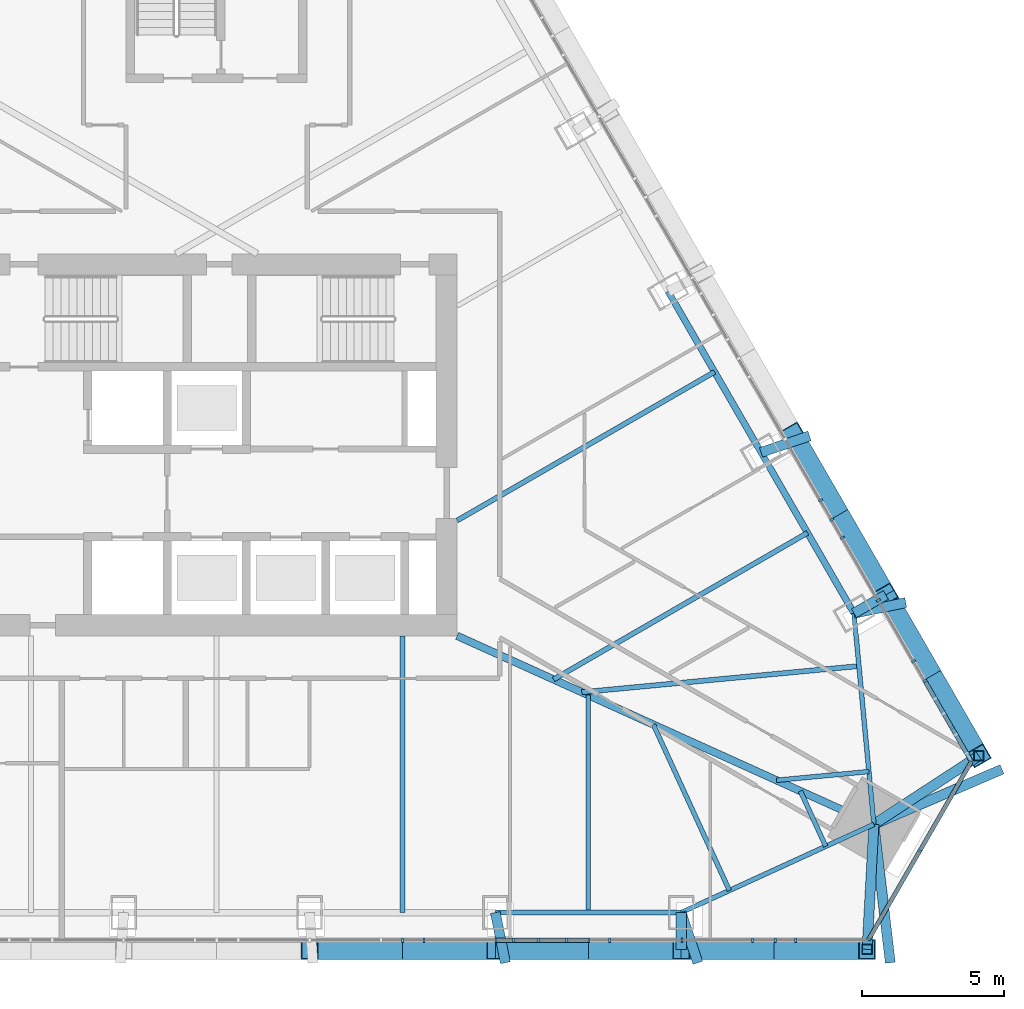
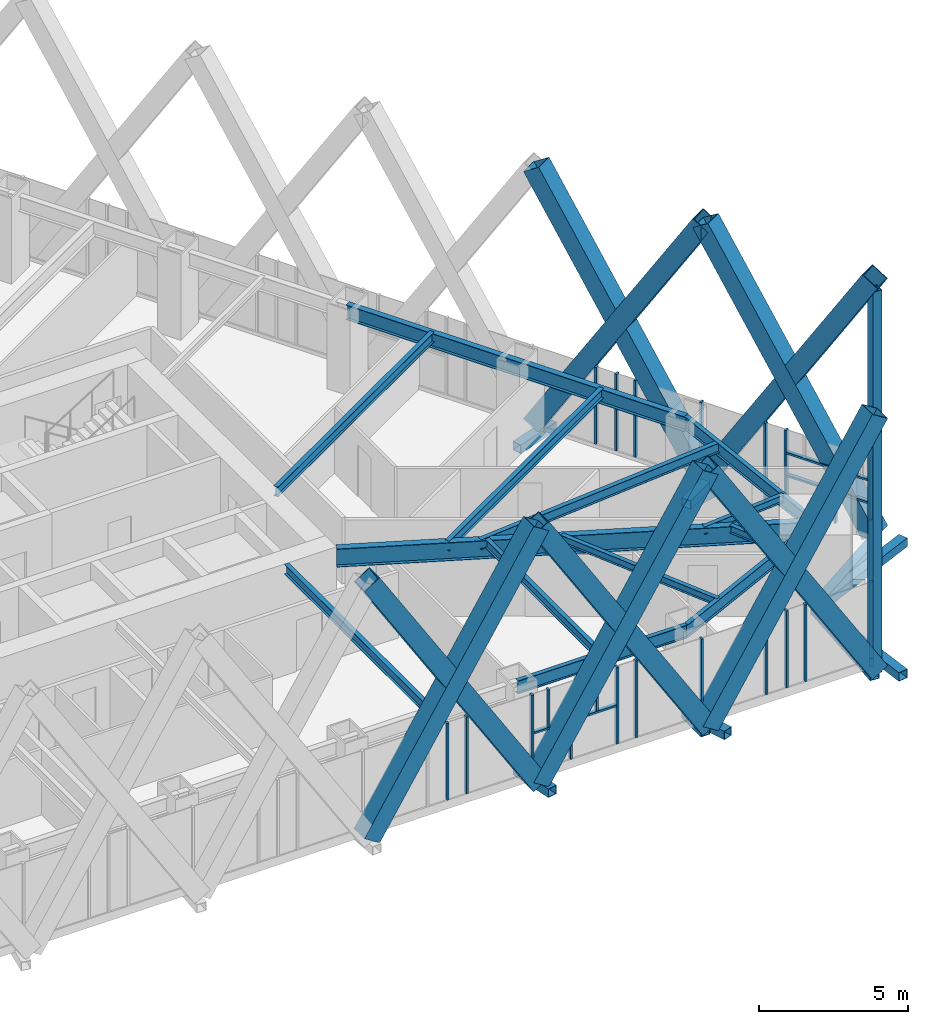
# One storey, part 8 of 25: 48 members, 13 beams, 3 elements without a shape of their own.
"""IFC4 building model written with IfcOpenShell, lengths in metres."""

import ifcopenshell
import ifcopenshell.guid

model = None  # the IFC model being written
_history = None  # IfcOwnerHistory: only IFC2X3 demands one
_inside = {}  # id of a spatial element -> (the spatial element, [elements in it])
_under = {}  # id of a project, library or spatial element -> (it, [spatial elements below it])
_declared = {}  # id of a project -> (the project, [libraries it declares])
_typed = {}  # id of a type object -> (the type object, [elements of that type])
_made_of = {}  # id of a material, layer set ... -> (it, [elements and type objects made of it])


def new_model(schema):
    """Start an empty IFC model of exactly this schema.

    Asked for "IFC4X3", IfcOpenShell would pick the latest addendum, in which some entities
    have other attributes; the version numbers below select the first issue.
    IFC2X3 requires an IfcOwnerHistory on every rooted entity: one is made here for all.
    """
    global model, _history
    if schema == "IFC4X3":
        model = ifcopenshell.file(schema_version=(4, 3, 0, 0))
    else:
        model = ifcopenshell.file(schema=schema)
    _inside.clear()
    _under.clear()
    _declared.clear()
    _typed.clear()
    _made_of.clear()
    _history = None
    if model.schema == "IFC2X3":
        org = make("IfcOrganization", Name="unknown")
        user = make(
            "IfcPersonAndOrganization",
            ThePerson=make("IfcPerson", FamilyName="unknown"),
            TheOrganization=org,
        )
        app = make(
            "IfcApplication",
            ApplicationDeveloper=org,
            Version="unknown",
            ApplicationFullName="unknown",
            ApplicationIdentifier="unknown",
        )
        _history = make(
            "IfcOwnerHistory",
            OwningUser=user,
            OwningApplication=app,
            ChangeAction="ADDED",
            CreationDate=0,
        )
    return model


def make(cls, **values):
    """One entity of the class cls with the attributes given. An attribute that is None is left unset."""
    return model.create_entity(
        cls, **{name: value for name, value in values.items() if value is not None}
    )


def rooted(cls, **values):
    """An entity with a GlobalId (a new one), such as an element, a storey or a relation."""
    return make(cls, GlobalId=ifcopenshell.guid.new(), OwnerHistory=_history, **values)


def si_unit(unit_type, name, prefix=None):
    """IfcSIUnit, for example si_unit("LENGTHUNIT", "METRE", prefix="MILLI")."""
    return make("IfcSIUnit", UnitType=unit_type, Prefix=prefix, Name=name)


def assignment(units):
    """IfcUnitAssignment: the units of a project."""
    return None if units is None else make("IfcUnitAssignment", Units=units)


def point(xyz):
    """IfcCartesianPoint."""
    return None if xyz is None else make("IfcCartesianPoint", Coordinates=xyz)


def direction(xyz):
    """IfcDirection."""
    return None if xyz is None else make("IfcDirection", DirectionRatios=xyz)


def frame(location, z_axis=None, x_axis=None):
    """IfcAxis2Placement3D, a coordinate frame: its origin and axes. An axis left out is left unset."""
    return make(
        "IfcAxis2Placement3D",
        Location=point(location),
        Axis=direction(z_axis),
        RefDirection=direction(x_axis),
    )


def frame_2d(location, x_axis=None):
    """IfcAxis2Placement2D, a coordinate frame in the plane: its origin and x axis."""
    return make(
        "IfcAxis2Placement2D", Location=point(location), RefDirection=direction(x_axis)
    )


def origin():
    """The frame at (0, 0, 0) with its axes left unset."""
    return frame((0.0, 0.0, 0.0))


def origin_2d():
    """The frame at (0, 0) in the plane with its x axis left unset."""
    return frame_2d((0.0, 0.0))


def place(relative_to, where):
    """IfcLocalPlacement: puts the frame where relative to a parent placement (None: the world)."""
    return make(
        "IfcLocalPlacement", PlacementRelTo=relative_to, RelativePlacement=where
    )


def context(
    kind, dimensions, precision=None, world=None, true_north=None, identifier=None
):
    """IfcGeometricRepresentationContext, for example the 3D "Model" context."""
    return make(
        "IfcGeometricRepresentationContext",
        ContextIdentifier=identifier,
        ContextType=kind,
        CoordinateSpaceDimension=dimensions,
        Precision=precision,
        WorldCoordinateSystem=world,
        TrueNorth=true_north,
    )


def subcontext(parent, identifier, kind, view, scale=None):
    """IfcGeometricRepresentationSubContext, for example "Body" below "Model"."""
    return make(
        "IfcGeometricRepresentationSubContext",
        ContextIdentifier=identifier,
        ContextType=kind,
        ParentContext=parent,
        TargetScale=scale,
        TargetView=view,
    )


def project(units=None, contexts=None):
    """IfcProject with its units and contexts."""
    return rooted(
        "IfcProject",
        Name="project",
        RepresentationContexts=contexts,
        UnitsInContext=assignment(units),
    )


def spatial(cls, under=None, at=None, **own):
    """A site, building, storey or space (cls), placed at a placement, below another one or the project."""
    s = rooted(cls, ObjectPlacement=at, **own)
    if under is not None:
        _under.setdefault(under.id(), (under, []))[1].append(s)
    return s


def profile(cls, at=None, kind="AREA", **sizes):
    """A parametric profile (cls). Its sizes go by their IFC names, for example OverallWidth=200.0."""
    return make(cls, ProfileType=kind, Position=at, **sizes)


def rectangle(**sizes):
    """IfcRectangleProfileDef."""
    return profile("IfcRectangleProfileDef", **sizes)


def hollow_rectangle(**sizes):
    """IfcRectangleHollowProfileDef."""
    return profile("IfcRectangleHollowProfileDef", **sizes)


def i_section(**sizes):
    """IfcIShapeProfileDef."""
    return profile("IfcIShapeProfileDef", **sizes)


def extrude(swept, where, along, depth):
    """IfcExtrudedAreaSolid: the profile swept, set in the frame where, extruded along a direction by depth."""
    return make(
        "IfcExtrudedAreaSolid",
        SweptArea=swept,
        Position=where,
        ExtrudedDirection=direction(along),
        Depth=depth,
    )


def shape(context_of_items, identifier, shape_type, items):
    """IfcShapeRepresentation: the items that make up one representation, for example the "Body"."""
    return make(
        "IfcShapeRepresentation",
        ContextOfItems=context_of_items,
        RepresentationIdentifier=identifier,
        RepresentationType=shape_type,
        Items=items,
    )


def material(Name=None, Category=None):
    """IfcMaterial."""
    return make("IfcMaterial", Name=Name, Category=Category)


def layer(
    of_material, thickness, ventilated=None, Name=None, Category=None, Priority=None
):
    """IfcMaterialLayer: one layer of a wall or slab, of a material (None: an air gap)."""
    return make(
        "IfcMaterialLayer",
        Material=of_material,
        LayerThickness=thickness,
        IsVentilated=ventilated,
        Name=Name,
        Category=Category,
        Priority=Priority,
    )


def layer_set(layers, Name=None):
    """IfcMaterialLayerSet."""
    return make("IfcMaterialLayerSet", MaterialLayers=layers, LayerSetName=Name)


def material_profile(
    of_material, cross_section, Name=None, Category=None, Priority=None
):
    """IfcMaterialProfile: a cross section and its material."""
    return make(
        "IfcMaterialProfile",
        Name=Name,
        Material=of_material,
        Profile=cross_section,
        Priority=Priority,
        Category=Category,
    )


def profile_set(profiles, Name=None, composite=None):
    """IfcMaterialProfileSet."""
    return make(
        "IfcMaterialProfileSet",
        Name=Name,
        MaterialProfiles=profiles,
        CompositeProfile=composite,
    )


def made_of(thing, what):
    """Note that an element or type object is made of a material, layer set ...; save() writes the relation."""
    if what is not None:
        _made_of.setdefault(what.id(), (what, []))[1].append(thing)
    return thing


def type_object(cls, material=None, **own):
    """A type object (cls), such as IfcWallType, which elements share."""
    return made_of(rooted(cls, **own), material)


def element(
    cls,
    number,
    at=None,
    inside=None,
    cuts=None,
    type_object=None,
    material=None,
    context=None,
    identifier="Body",
    shape_type=None,
    held_by="IfcProductDefinitionShape",
    body=None,
    shapes=None,
    **own,
):
    """One element of the class cls, such as IfcWall. Its Tag is "e" and its number.

    at: its placement. inside: the storey or other place that contains it. cuts: it is an
    opening in that element (IfcRelVoidsElement). A single representation is given by context,
    identifier, shape_type and body (its items); several are given by shapes. held_by: the class
    of the entity that holds the representations. save() writes the other relations.
    """
    e = rooted(cls, Tag="e%d" % number, ObjectPlacement=at, **own)
    if body is not None:
        shapes = [shape(context, identifier, shape_type, body)]
    if shapes is not None:
        e.Representation = make(held_by, Representations=shapes)
    if inside is not None:
        _inside.setdefault(inside.id(), (inside, []))[1].append(e)
    if cuts is not None:
        rooted(
            "IfcRelVoidsElement", RelatingBuildingElement=cuts, RelatedOpeningElement=e
        )
    if type_object is not None:
        _typed.setdefault(type_object.id(), (type_object, []))[1].append(e)
    return made_of(e, material)


def aggregate(whole, parts):
    """IfcRelAggregates: a whole, such as a stair, and the parts it consists of."""
    return rooted("IfcRelAggregates", RelatingObject=whole, RelatedObjects=parts)


def save(model, path):
    """Write the relations noted so far, then the file.

    IfcRelAggregates (storeys below a building ...), IfcRelContainedInSpatialStructure (elements
    in a storey), IfcRelDefinesByType, IfcRelAssociatesMaterial and IfcRelDeclares: one each for
    every whole, place, type object, material and project.
    """
    for whole, parts in _under.values():
        aggregate(whole, parts)
    for where, things in _inside.values():
        rooted(
            "IfcRelContainedInSpatialStructure",
            RelatedElements=things,
            RelatingStructure=where,
        )
    for kind, things in _typed.values():
        rooted("IfcRelDefinesByType", RelatedObjects=things, RelatingType=kind)
    for what, things in _made_of.values():
        rooted("IfcRelAssociatesMaterial", RelatedObjects=things, RelatingMaterial=what)
    for by, libraries in _declared.values():
        rooted("IfcRelDeclares", RelatingContext=by, RelatedDefinitions=libraries)
    model.write(path)


model = new_model("IFC4")

# Units and contexts
model_context = context("Model", 3, precision=1e-05, world=origin(), true_north=direction((0.0, 1.0)))
body_context = subcontext(model_context, "Body", "Model", "MODEL_VIEW")
ifc_project = project(units=[si_unit("LENGTHUNIT", "METRE"), si_unit("AREAUNIT", "SQUARE_METRE"), si_unit("VOLUMEUNIT", "CUBIC_METRE"), si_unit("PLANEANGLEUNIT", "RADIAN"), si_unit("MASSUNIT", "GRAM", prefix="KILO")], contexts=[model_context])

# Site, building, storey
site_placement = place(None, origin())
site = spatial("IfcSite", under=ifc_project, at=site_placement, CompositionType="ELEMENT")
building_placement = place(site_placement, origin())
building = spatial("IfcBuilding", under=site, at=building_placement, Name="Firuza Gate Tower and Library", CompositionType="ELEMENT")
storey_placement = place(building_placement, frame((0.0, 0.0, 270.60009765625)))
storey = spatial("IfcBuildingStorey", under=building, at=storey_placement, Name="L64", CompositionType="ELEMENT", Elevation=270.60009765625)

# Members
ifc_material_1 = material(Name="Steel S355", Category="steel")
ifc_material_profile_1 = material_profile(ifc_material_1, hollow_rectangle(XDim=0.699951171875, YDim=0.699951171875, WallThickness=0.030029296875, at=origin_2d()))
ifc_profile_set_1 = profile_set([ifc_material_profile_1], Name="Steel S355")
member_type_1 = type_object("IfcMemberType", Name="BU700x700x30 Lattice brace", PredefinedType="BRACE", material=ifc_profile_set_1)
for number, where, z_axis, x_axis, name in (
    (1, (78.28271484375, 57.17626953125, 0.0), (0.530154878557, 0.0, 0.847900822468), (0.0, 1.0, 0.0), "Lattice brace S 16.5R"),
    (2, (84.847900390625, 57.17626953125, 0.0), (-0.530154878557, 0.0, 0.847900822468), (0.0, -1.0, 0.0), "Lattice brace S 16.5L"),
    (3, (84.847900390625, 57.17626953125, 0.0), (0.530169052123, 0.0, 0.8478919602), (0.0, 1.0, 0.0), "Lattice brace S 16.6R"),
    (4, (91.413330078125, 57.17626953125, 0.0), (-0.530169052123, 0.0, 0.8478919602), (0.0, -1.0, 0.0), "Lattice brace S 16.6L"),
    (5, (91.413330078125, 57.17626953125, 0.0), (0.530169052123, 0.0, 0.8478919602), (0.0, 1.0, 0.0), "Lattice brace S 16.7R"),
    (6, (97.978759765625, 57.17626953125, 0.0), (-0.530169052123, 0.0, 0.8478919602), (0.0, -1.0, 0.0), "Lattice brace S 16.7L"),
    (7, (101.925048828125, 64.01171875, 0.0), (-0.265084898364, 0.459137453369, 0.847893151036), (-0.86602396135, -0.500002498361, 0.0), "Lattice brace E 16.1R"),
    (8, (98.642333984375, 69.697509765625, 0.0), (0.265084898364, -0.459137453369, 0.847893151036), (0.86602396135, 0.500002498361, 0.0), "Lattice brace E 16.1L"),
    (9, (98.642333984375, 69.697509765625, 0.0), (-0.2650665688, 0.459139852792, 0.847897582072), (-0.86604006325, -0.499974608201, 0.0), "Lattice brace E 16.2R"),
    (10, (95.35986328125, 75.38330078125, 0.0), (0.2650665688, -0.459139852792, 0.847897582072), (0.86604006325, 0.499974608201, 0.0), "Lattice brace E 16.2L"),
):
    element("IfcMember", number, at=place(storey_placement, frame(where, z_axis=z_axis, x_axis=x_axis)), inside=storey, type_object=member_type_1, Name=name, PredefinedType="BRACE", context=body_context, shape_type="SweptSolid", body=[
        extrude(hollow_rectangle(XDim=0.699951171875, YDim=0.699951171875, WallThickness=0.030029296875, at=origin_2d()), origin(), (0.0, 0.0, 1.0), 12.383544921875),
    ])

# Curtain wall, members
ifc_material_2 = material(Name="Aluminium 6063-T6", Category="aluminium")
ifc_layer_1 = layer(ifc_material_2, 0.14990234375)
ifc_layer_set_1 = layer_set([ifc_layer_1], Name="Unitised curtain wall, residences")
curtain_wall_type_1 = type_object("IfcCurtainWallType", Name="Unitised curtain wall, residences", PredefinedType="NOTDEFINED", material=ifc_layer_set_1)
placement = place(storey_placement, origin())
curtain_wall_1 = element("IfcCurtainWall", 11, at=placement, inside=storey, type_object=curtain_wall_type_1, Name="CW3 L64 S face", PredefinedType="NOTDEFINED")
ifc_material_3 = material(Name="Aluminium 6063-T6", Category="aluminium")
ifc_material_profile_2 = material_profile(ifc_material_3, rectangle(XDim=0.14990234375, YDim=0.080078125, at=origin_2d()))
ifc_profile_set_2 = profile_set([ifc_material_profile_2], Name="Aluminium 6063-T6")
member_type_2 = type_object("IfcMemberType", Name="Curtain wall mullion 80x150", PredefinedType="MULLION", material=ifc_profile_set_2)
member_1_placement = place(storey_placement, frame((81.57763671875, 57.501220703125, 0.14990234375), z_axis=(0.0, 0.0, 1.0), x_axis=(0.0, 1.0, 0.0)))
member_1 = element("IfcMember", 12, at=member_1_placement, type_object=member_type_2, Name="Mullion", PredefinedType="MULLION", context=body_context, shape_type="SweptSolid", body=[
    extrude(rectangle(XDim=0.14990234375, YDim=0.080078125, at=origin_2d()), origin(), (0.0, 0.0, 1.0), 3.14990234375),
])
member_2_placement = place(storey_placement, frame((84.866455078125, 57.501220703125, 0.14990234375), z_axis=(0.0, 0.0, 1.0), x_axis=(0.0, 1.0, 0.0)))
member_2 = element("IfcMember", 13, at=member_2_placement, type_object=member_type_2, Name="Mullion", PredefinedType="MULLION", context=body_context, shape_type="SweptSolid", body=[
    extrude(rectangle(XDim=0.14990234375, YDim=0.080078125, at=origin_2d()), origin(), (0.0, 0.0, 1.0), 3.14990234375),
])
member_3_placement = place(storey_placement, frame((88.155517578125, 57.501220703125, 0.14990234375), z_axis=(0.0, 0.0, 1.0), x_axis=(0.0, 1.0, 0.0)))
member_3 = element("IfcMember", 14, at=member_3_placement, type_object=member_type_2, Name="Mullion", PredefinedType="MULLION", context=body_context, shape_type="SweptSolid", body=[
    extrude(rectangle(XDim=0.14990234375, YDim=0.080078125, at=origin_2d()), origin(), (0.0, 0.0, 1.0), 3.14990234375),
])
member_4_placement = place(storey_placement, frame((91.4443359375, 57.501220703125, 0.14990234375), z_axis=(0.0, 0.0, 1.0), x_axis=(0.0, 1.0, 0.0)))
member_4 = element("IfcMember", 15, at=member_4_placement, type_object=member_type_2, Name="Mullion", PredefinedType="MULLION", context=body_context, shape_type="SweptSolid", body=[
    extrude(rectangle(XDim=0.14990234375, YDim=0.080078125, at=origin_2d()), origin(), (0.0, 0.0, 1.0), 3.14990234375),
])
member_5_placement = place(storey_placement, frame((94.733154296875, 57.501220703125, 0.14990234375), z_axis=(0.0, 0.0, 1.0), x_axis=(0.0, 1.0, 0.0)))
member_5 = element("IfcMember", 16, at=member_5_placement, type_object=member_type_2, Name="Mullion", PredefinedType="MULLION", context=body_context, shape_type="SweptSolid", body=[
    extrude(rectangle(XDim=0.14990234375, YDim=0.080078125, at=origin_2d()), origin(), (0.0, 0.0, 1.0), 3.14990234375),
])
member_6_placement = place(storey_placement, frame((82.326904296875, 57.501220703125, 0.14990234375), z_axis=(0.0, 0.0, 1.0), x_axis=(0.0, 1.0, 0.0)))
member_6 = element("IfcMember", 17, at=member_6_placement, type_object=member_type_2, Name="Mullion", PredefinedType="MULLION", context=body_context, shape_type="SweptSolid", body=[
    extrude(rectangle(XDim=0.14990234375, YDim=0.080078125, at=origin_2d()), origin(), (0.0, 0.0, 1.0), 3.14990234375),
])
member_7_placement = place(storey_placement, frame((86.359375, 57.501220703125, 0.14990234375), z_axis=(0.0, 0.0, 1.0), x_axis=(0.0, 1.0, 0.0)))
member_7 = element("IfcMember", 18, at=member_7_placement, type_object=member_type_2, Name="Mullion", PredefinedType="MULLION", context=body_context, shape_type="SweptSolid", body=[
    extrude(rectangle(XDim=0.14990234375, YDim=0.080078125, at=origin_2d()), origin(), (0.0, 0.0, 1.0), 1.534912109375),
])
member_8_placement = place(storey_placement, frame((85.493896484375, 57.501220703125, 1.764892578125), z_axis=(0.0, 0.0, 1.0), x_axis=(0.0, 1.0, 0.0)))
member_8 = element("IfcMember", 19, at=member_8_placement, type_object=member_type_2, Name="Mullion", PredefinedType="MULLION", context=body_context, shape_type="SweptSolid", body=[
    extrude(rectangle(XDim=0.14990234375, YDim=0.080078125, at=origin_2d()), origin(), (0.0, 0.0, 1.0), 1.534912109375),
])
member_9_placement = place(storey_placement, frame((87.369140625, 57.501220703125, 1.764892578125), z_axis=(0.0, 0.0, 1.0), x_axis=(0.0, 1.0, 0.0)))
member_9 = element("IfcMember", 20, at=member_9_placement, type_object=member_type_2, Name="Mullion", PredefinedType="MULLION", context=body_context, shape_type="SweptSolid", body=[
    extrude(rectangle(XDim=0.14990234375, YDim=0.080078125, at=origin_2d()), origin(), (0.0, 0.0, 1.0), 1.534912109375),
])
member_10_placement = place(storey_placement, frame((88.89208984375, 57.501220703125, 0.14990234375), z_axis=(0.0, 0.0, 1.0), x_axis=(0.0, 1.0, 0.0)))
member_10 = element("IfcMember", 21, at=member_10_placement, type_object=member_type_2, Name="Mullion", PredefinedType="MULLION", context=body_context, shape_type="SweptSolid", body=[
    extrude(rectangle(XDim=0.14990234375, YDim=0.080078125, at=origin_2d()), origin(), (0.0, 0.0, 1.0), 3.14990234375),
])
member_11_placement = place(storey_placement, frame((93.9345703125, 57.501220703125, 0.14990234375), z_axis=(0.0, 0.0, 1.0), x_axis=(0.0, 1.0, 0.0)))
member_11 = element("IfcMember", 22, at=member_11_placement, type_object=member_type_2, Name="Mullion", PredefinedType="MULLION", context=body_context, shape_type="SweptSolid", body=[
    extrude(rectangle(XDim=0.14990234375, YDim=0.080078125, at=origin_2d()), origin(), (0.0, 0.0, 1.0), 3.14990234375),
])
member_12_placement = place(storey_placement, frame((95.45751953125, 57.501220703125, 0.14990234375), z_axis=(0.0, 0.0, 1.0), x_axis=(0.0, 1.0, 0.0)))
member_12 = element("IfcMember", 23, at=member_12_placement, type_object=member_type_2, Name="Mullion", PredefinedType="MULLION", context=body_context, shape_type="SweptSolid", body=[
    extrude(rectangle(XDim=0.14990234375, YDim=0.080078125, at=origin_2d()), origin(), (0.0, 0.0, 1.0), 3.14990234375),
])

ifc_material_4 = material(Name="Aluminium 6063-T6", Category="aluminium")
ifc_layer_2 = layer(ifc_material_4, 0.14990234375)
ifc_layer_set_2 = layer_set([ifc_layer_2], Name="Corner curtain wall, chamfers")
curtain_wall_type_2 = type_object("IfcCurtainWallType", Name="Corner curtain wall, chamfers", PredefinedType="NOTDEFINED", material=ifc_layer_set_2)
curtain_wall_2 = element("IfcCurtainWall", 24, at=placement, inside=storey, type_object=curtain_wall_type_2, Name="CW4 L64 SE corner", PredefinedType="NOTDEFINED")
member_13_placement = place(storey_placement, frame((98.0419921875, 57.535888671875, 0.14990234375), z_axis=(0.0, 0.0, 1.0), x_axis=(-0.866025403784, 0.5, 0.0)))
member_13 = element("IfcMember", 25, at=member_13_placement, type_object=member_type_2, Name="Mullion", PredefinedType="MULLION", context=body_context, shape_type="SweptSolid", body=[
    extrude(rectangle(XDim=0.14990234375, YDim=0.080078125, at=origin_2d()), origin(), (0.0, 0.0, 1.0), 3.14990234375),
])
member_14_placement = place(storey_placement, frame((99.843505859375, 60.656494140625, 0.14990234375), z_axis=(0.0, 0.0, 1.0), x_axis=(-0.866025403784, 0.5, 0.0)))
member_14 = element("IfcMember", 26, at=member_14_placement, type_object=member_type_2, Name="Mullion", PredefinedType="MULLION", context=body_context, shape_type="SweptSolid", body=[
    extrude(rectangle(XDim=0.14990234375, YDim=0.080078125, at=origin_2d()), origin(), (0.0, 0.0, 1.0), 3.14990234375),
])

curtain_wall_3 = element("IfcCurtainWall", 27, at=placement, inside=storey, type_object=curtain_wall_type_1, Name="CW3 L64 E face", PredefinedType="NOTDEFINED")
member_15_placement = place(storey_placement, frame((101.645263671875, 63.846435546875, 0.14990234375), z_axis=(0.0, 0.0, 1.0), x_axis=(-0.866025403784, -0.5, 0.0)))
member_15 = element("IfcMember", 28, at=member_15_placement, type_object=member_type_2, Name="Mullion", PredefinedType="MULLION", context=body_context, shape_type="SweptSolid", body=[
    extrude(rectangle(XDim=0.14990234375, YDim=0.080078125, at=origin_2d()), origin(), (0.0, 0.0, 1.0), 3.14990234375),
])
member_16_placement = place(storey_placement, frame((100.020751953125, 66.659912109375, 0.14990234375), z_axis=(0.0, 0.0, 1.0), x_axis=(-0.866025403784, -0.5, 0.0)))
member_16 = element("IfcMember", 29, at=member_16_placement, type_object=member_type_2, Name="Mullion", PredefinedType="MULLION", context=body_context, shape_type="SweptSolid", body=[
    extrude(rectangle(XDim=0.14990234375, YDim=0.080078125, at=origin_2d()), origin(), (0.0, 0.0, 1.0), 3.14990234375),
])
member_17_placement = place(storey_placement, frame((98.37646484375, 69.50830078125, 0.14990234375), z_axis=(0.0, 0.0, 1.0), x_axis=(-0.866025403784, -0.5, 0.0)))
member_17 = element("IfcMember", 30, at=member_17_placement, type_object=member_type_2, Name="Mullion", PredefinedType="MULLION", context=body_context, shape_type="SweptSolid", body=[
    extrude(rectangle(XDim=0.14990234375, YDim=0.080078125, at=origin_2d()), origin(), (0.0, 0.0, 1.0), 3.14990234375),
])
member_18_placement = place(storey_placement, frame((96.73193359375, 72.3564453125, 0.14990234375), z_axis=(0.0, 0.0, 1.0), x_axis=(-0.866025403784, -0.5, 0.0)))
member_18 = element("IfcMember", 31, at=member_18_placement, type_object=member_type_2, Name="Mullion", PredefinedType="MULLION", context=body_context, shape_type="SweptSolid", body=[
    extrude(rectangle(XDim=0.14990234375, YDim=0.080078125, at=origin_2d()), origin(), (0.0, 0.0, 1.0), 3.14990234375),
])
member_19_placement = place(storey_placement, frame((100.973876953125, 65.00927734375, 0.14990234375), z_axis=(0.0, 0.0, 1.0), x_axis=(-0.866025403784, -0.5, 0.0)))
member_19 = element("IfcMember", 32, at=member_19_placement, type_object=member_type_2, Name="Mullion", PredefinedType="MULLION", context=body_context, shape_type="SweptSolid", body=[
    extrude(rectangle(XDim=0.14990234375, YDim=0.080078125, at=origin_2d()), origin(), (0.0, 0.0, 1.0), 1.260009765625),
])
member_20_placement = place(storey_placement, frame((99.62158203125, 67.3515625, 0.14990234375), z_axis=(0.0, 0.0, 1.0), x_axis=(-0.866025403784, -0.5, 0.0)))
member_20 = element("IfcMember", 33, at=member_20_placement, type_object=member_type_2, Name="Mullion", PredefinedType="MULLION", context=body_context, shape_type="SweptSolid", body=[
    extrude(rectangle(XDim=0.14990234375, YDim=0.080078125, at=origin_2d()), origin(), (0.0, 0.0, 1.0), 3.14990234375),
])
member_21_placement = place(storey_placement, frame((97.100341796875, 71.71826171875, 0.14990234375), z_axis=(0.0, 0.0, 1.0), x_axis=(-0.866025403784, -0.5, 0.0)))
member_21 = element("IfcMember", 34, at=member_21_placement, type_object=member_type_2, Name="Mullion", PredefinedType="MULLION", context=body_context, shape_type="SweptSolid", body=[
    extrude(rectangle(XDim=0.14990234375, YDim=0.080078125, at=origin_2d()), origin(), (0.0, 0.0, 1.0), 3.14990234375),
])
member_22_placement = place(storey_placement, frame((96.3388671875, 73.037353515625, 0.14990234375), z_axis=(0.0, 0.0, 1.0), x_axis=(-0.866025403784, -0.5, 0.0)))
member_22 = element("IfcMember", 35, at=member_22_placement, type_object=member_type_2, Name="Mullion", PredefinedType="MULLION", context=body_context, shape_type="SweptSolid", body=[
    extrude(rectangle(XDim=0.14990234375, YDim=0.080078125, at=origin_2d()), origin(), (0.0, 0.0, 1.0), 3.14990234375),
])

# Member
ifc_material_5 = material(Name="Aluminium 6063-T6", Category="aluminium")
ifc_material_profile_3 = material_profile(ifc_material_5, rectangle(XDim=0.14990234375, YDim=0.35009765625, at=origin_2d()))
ifc_profile_set_3 = profile_set([ifc_material_profile_3], Name="Aluminium 6063-T6")
member_type_3 = type_object("IfcMemberType", Name="Curtain wall transom 350x150", PredefinedType="USERDEFINED", material=ifc_profile_set_3)
member_23_placement = place(storey_placement, frame((98.02197265625, 57.501220703125, -0.025146484375), z_axis=(0.499991211061, 0.866030478021, 0.0), x_axis=(-0.866030478021, 0.499991211061, 0.0)))
member_23 = element("IfcMember", 36, at=member_23_placement, type_object=member_type_3, Name="Transom", ObjectType="TRANSOM", PredefinedType="USERDEFINED", context=body_context, shape_type="SweptSolid", body=[
    extrude(rectangle(XDim=0.14990234375, YDim=0.35009765625, at=origin_2d()), origin(), (0.0, 0.0, 1.0), 7.286865234375),
])

aggregate(curtain_wall_2, [member_13, member_14, member_23])

ifc_material_6 = material(Name="Aluminium 6063-T6", Category="aluminium")
ifc_material_profile_4 = material_profile(ifc_material_6, rectangle(XDim=0.14990234375, YDim=0.080078125, at=origin_2d()))
ifc_profile_set_4 = profile_set([ifc_material_profile_4], Name="Aluminium 6063-T6")
member_type_4 = type_object("IfcMemberType", Name="Curtain wall transom 80x150", PredefinedType="USERDEFINED", material=ifc_profile_set_4)
member_24_placement = place(storey_placement, frame((84.906494140625, 57.501220703125, 1.724853515625), z_axis=(1.0, 0.0, 0.0), x_axis=(0.0, 1.0, 0.0)))
member_24 = element("IfcMember", 37, at=member_24_placement, type_object=member_type_4, Name="Transom", ObjectType="TRANSOM", PredefinedType="USERDEFINED", context=body_context, shape_type="SweptSolid", body=[
    extrude(rectangle(XDim=0.14990234375, YDim=0.080078125, at=origin_2d()), origin(), (0.0, 0.0, 1.0), 3.208984375),
])

aggregate(curtain_wall_1, [member_1, member_2, member_3, member_4, member_5, member_6, member_7, member_8, member_9, member_24, member_10, member_11, member_12])

member_25_placement = place(storey_placement, frame((101.645263671875, 63.846435546875, 1.449951171875), z_axis=(-0.500034194513, 0.866005660673, 0.0), x_axis=(-0.866005660673, -0.500034194513, 0.0)))
member_25 = element("IfcMember", 38, at=member_25_placement, type_object=member_type_4, Name="Transom", ObjectType="TRANSOM", PredefinedType="USERDEFINED", context=body_context, shape_type="SweptSolid", body=[
    extrude(rectangle(XDim=0.14990234375, YDim=0.080078125, at=origin_2d()), origin(), (0.0, 0.0, 1.0), 3.208740234375),
])

member_26_placement = place(storey_placement, frame((101.645263671875, 63.846435546875, 2.375), z_axis=(-0.500034194513, 0.866005660673, 0.0), x_axis=(-0.866005660673, -0.500034194513, 0.0)))
member_26 = element("IfcMember", 39, at=member_26_placement, type_object=member_type_4, Name="Transom", ObjectType="TRANSOM", PredefinedType="USERDEFINED", context=body_context, shape_type="SweptSolid", body=[
    extrude(rectangle(XDim=0.14990234375, YDim=0.080078125, at=origin_2d()), origin(), (0.0, 0.0, 1.0), 3.208740234375),
])

aggregate(curtain_wall_3, [member_15, member_16, member_17, member_18, member_19, member_25, member_26, member_20, member_21, member_22])

# Members
ifc_material_7 = material(Name="Steel S355", Category="steel")
ifc_material_profile_5 = material_profile(ifc_material_7, hollow_rectangle(XDim=0.355712890625, YDim=0.355712890625, WallThickness=0.014892578125, at=origin_2d()))
ifc_profile_set_5 = profile_set([ifc_material_profile_5], Name="Steel S355")
member_type_5 = type_object("IfcMemberType", Name="HSS356x356x16 Lattice corner stile", PredefinedType="BRACE", material=ifc_profile_set_5)
for number, where, z_axis, x_axis, name in (
    (40, (97.978759765625, 57.17626953125, -0.14013671875), (0.0, 0.0, 1.0), (1.0, 0.0, 0.0), "Lattice corner stile S 16.B"),
    (41, (101.925048828125, 64.01171875, -0.14013671875), (0.0, 0.0, 1.0), (1.0, 0.0, 0.0), "Lattice corner stile E 16.A"),
):
    element("IfcMember", number, at=place(storey_placement, frame(where, z_axis=z_axis, x_axis=x_axis)), inside=storey, type_object=member_type_5, Name=name, PredefinedType="BRACE", context=body_context, shape_type="SweptSolid", body=[
        extrude(hollow_rectangle(XDim=0.355712890625, YDim=0.355712890625, WallThickness=0.014892578125, at=origin_2d()), origin(), (0.0, 0.0, 1.0), 10.14013671875),
    ])
ifc_material_8 = material(Name="Steel S355", Category="steel")
ifc_material_profile_6 = material_profile(ifc_material_8, hollow_rectangle(XDim=0.355712890625, YDim=0.355712890625, WallThickness=0.014892578125, at=origin_2d()))
ifc_profile_set_6 = profile_set([ifc_material_profile_6], Name="Steel S355")
member_type_6 = type_object("IfcMemberType", Name="HSS356x356x16 Lattice node tie", PredefinedType="BRACE", material=ifc_profile_set_6)
member_27_placement = place(storey_placement, frame((94.23388671875, 74.733154296875, -0.320068359375), z_axis=(0.946762871193, 0.321931771856, 0.0), x_axis=(-0.321931771856, 0.946762871193, 0.0)))
element("IfcMember", 42, at=member_27_placement, inside=storey, type_object=member_type_6, Name="Lattice node tie E L64 398", PredefinedType="BRACE", context=body_context, shape_type="SweptSolid", body=[
    extrude(hollow_rectangle(XDim=0.355712890625, YDim=0.355712890625, WallThickness=0.014892578125, at=origin_2d()), origin(), (0.0, 0.0, 1.0), 1.80859375),
])
member_28_placement = place(storey_placement, frame((97.5166015625, 69.04736328125, -0.320068359375), z_axis=(0.979200490572, 0.202895044944, 0.0), x_axis=(-0.202895044944, 0.979200490572, 0.0)))
element("IfcMember", 43, at=member_28_placement, inside=storey, type_object=member_type_6, Name="Lattice node tie E L64 399", PredefinedType="BRACE", context=body_context, shape_type="SweptSolid", body=[
    extrude(hollow_rectangle(XDim=0.355712890625, YDim=0.355712890625, WallThickness=0.014892578125, at=origin_2d()), origin(), (0.0, 0.0, 1.0), 1.86865234375),
])
member_29_placement = place(storey_placement, frame((97.5166015625, 69.04736328125, -0.320068359375), z_axis=(0.86595725628, 0.500118016368, 0.0), x_axis=(-0.500118016368, 0.86595725628, 0.0)))
element("IfcMember", 44, at=member_29_placement, inside=storey, type_object=member_type_6, Name="Lattice node tie E L64 400", PredefinedType="BRACE", context=body_context, shape_type="SweptSolid", body=[
    extrude(hollow_rectangle(XDim=0.355712890625, YDim=0.355712890625, WallThickness=0.014892578125, at=origin_2d()), origin(), (0.0, 0.0, 1.0), 1.300048828125),
])
member_30_placement = place(storey_placement, frame((98.2197265625, 61.593994140625, -0.320068359375), z_axis=(0.918878224887, 0.394541262517, 0.0), x_axis=(-0.394541262517, 0.918878224887, 0.0)))
element("IfcMember", 45, at=member_30_placement, inside=storey, type_object=member_type_6, Name="Lattice node tie E L64 401", PredefinedType="BRACE", context=body_context, shape_type="SweptSolid", body=[
    extrude(hollow_rectangle(XDim=0.355712890625, YDim=0.355712890625, WallThickness=0.014892578125, at=origin_2d()), origin(), (0.0, 0.0, 1.0), 4.92626953125),
])
member_31_placement = place(storey_placement, frame((98.2197265625, 61.593994140625, -0.320068359375), z_axis=(0.837485429113, 0.546459656355, 0.0), x_axis=(-0.546459656355, 0.837485429113, 0.0)))
element("IfcMember", 46, at=member_31_placement, inside=storey, type_object=member_type_6, Name="Lattice node tie E L64 402", PredefinedType="BRACE", context=body_context, shape_type="SweptSolid", body=[
    extrude(hollow_rectangle(XDim=0.355712890625, YDim=0.355712890625, WallThickness=0.014892578125, at=origin_2d()), origin(), (0.0, 0.0, 1.0), 4.42431640625),
])
member_32_placement = place(storey_placement, frame((84.847900390625, 58.476318359375, -0.320068359375), z_axis=(0.194636359922, -0.980875469872, 0.0), x_axis=(0.980875469872, 0.194636359922, 0.0)))
element("IfcMember", 47, at=member_32_placement, inside=storey, type_object=member_type_6, Name="Lattice node tie S L64 410", PredefinedType="BRACE", context=body_context, shape_type="SweptSolid", body=[
    extrude(hollow_rectangle(XDim=0.355712890625, YDim=0.355712890625, WallThickness=0.014892578125, at=origin_2d()), origin(), (0.0, 0.0, 1.0), 1.808837890625),
])
member_33_placement = place(storey_placement, frame((91.413330078125, 58.476318359375, -0.320068359375), z_axis=(0.313953536604, -0.949438348106, 0.0), x_axis=(0.949438348106, 0.313953536604, 0.0)))
element("IfcMember", 48, at=member_33_placement, inside=storey, type_object=member_type_6, Name="Lattice node tie S L64 411", PredefinedType="BRACE", context=body_context, shape_type="SweptSolid", body=[
    extrude(hollow_rectangle(XDim=0.355712890625, YDim=0.355712890625, WallThickness=0.014892578125, at=origin_2d()), origin(), (0.0, 0.0, 1.0), 1.86865234375),
])
member_34_placement = place(storey_placement, frame((91.413330078125, 58.476318359375, -0.320068359375), z_axis=(0.0, -1.0, 0.0), x_axis=(1.0, 0.0, 0.0)))
element("IfcMember", 49, at=member_34_placement, inside=storey, type_object=member_type_6, Name="Lattice node tie S L64 412", PredefinedType="BRACE", context=body_context, shape_type="SweptSolid", body=[
    extrude(hollow_rectangle(XDim=0.355712890625, YDim=0.355712890625, WallThickness=0.014892578125, at=origin_2d()), origin(), (0.0, 0.0, 1.0), 1.300048828125),
])
member_35_placement = place(storey_placement, frame((98.2197265625, 61.593994140625, -0.320068359375), z_axis=(0.117804486387, -0.993036808475, 0.0), x_axis=(0.993036808475, 0.117804486387, 0.0)))
element("IfcMember", 50, at=member_35_placement, inside=storey, type_object=member_type_6, Name="Lattice node tie S L64 413", PredefinedType="BRACE", context=body_context, shape_type="SweptSolid", body=[
    extrude(hollow_rectangle(XDim=0.355712890625, YDim=0.355712890625, WallThickness=0.014892578125, at=origin_2d()), origin(), (0.0, 0.0, 1.0), 4.926025390625),
])
member_36_placement = place(storey_placement, frame((98.2197265625, 61.593994140625, -0.320068359375), z_axis=(-0.05446449316, -0.998515707931, 0.0), x_axis=(0.998515707931, -0.05446449316, 0.0)))
element("IfcMember", 51, at=member_36_placement, inside=storey, type_object=member_type_6, Name="Lattice node tie S L64 414", PredefinedType="BRACE", context=body_context, shape_type="SweptSolid", body=[
    extrude(hollow_rectangle(XDim=0.355712890625, YDim=0.355712890625, WallThickness=0.014892578125, at=origin_2d()), origin(), (0.0, 0.0, 1.0), 4.42431640625),
])

# Beams
ifc_material_9 = material(Name="Steel S355", Category="steel")
ifc_material_profile_7 = material_profile(ifc_material_9, i_section(OverallWidth=0.1650390625, OverallDepth=0.31005859375, WebThickness=0.005859375, FlangeThickness=0.009765625, at=origin_2d()))
ifc_profile_set_7 = profile_set([ifc_material_profile_7], Name="Steel S355")
beam_type_1 = type_object("IfcBeamType", Name="W310x39 Floor beam", PredefinedType="JOIST", material=ifc_profile_set_7)
beam_1_placement = place(storey_placement, frame((93.114990234375, 59.255859375, 3.14501953125), z_axis=(-0.416440813943, 0.909162828366, 0.0), x_axis=(-0.909162828366, -0.416440813943, 0.0)))
element("IfcBeam", 52, at=beam_1_placement, inside=storey, type_object=beam_type_1, Name="Floor beam L64 s30", PredefinedType="JOIST", context=body_context, shape_type="SweptSolid", body=[
    extrude(i_section(OverallWidth=0.1650390625, OverallDepth=0.31005859375, WebThickness=0.005859375, FlangeThickness=0.009765625, at=origin_2d()), origin(), (0.0, 0.0, 1.0), 6.44580078125),
])
beam_2_placement = place(storey_placement, frame((96.518310546875, 60.814697265625, 3.14501953125), z_axis=(-0.416455154512, 0.909156259551, 0.0), x_axis=(-0.909156259551, -0.416455154512, 0.0)))
element("IfcBeam", 53, at=beam_2_placement, inside=storey, type_object=beam_type_1, Name="Floor beam L64 s31", PredefinedType="JOIST", context=body_context, shape_type="SweptSolid", body=[
    extrude(i_section(OverallWidth=0.1650390625, OverallDepth=0.31005859375, WebThickness=0.005859375, FlangeThickness=0.009765625, at=origin_2d()), origin(), (0.0, 0.0, 1.0), 2.1484375),
])
beam_3_placement = place(storey_placement, frame((98.0439453125, 63.457275390625, 3.14501953125), z_axis=(-0.995581079201, -0.09390588233, 0.0), x_axis=(0.09390588233, -0.995581079201, 0.0)))
element("IfcBeam", 54, at=beam_3_placement, inside=storey, type_object=beam_type_1, Name="Floor beam L64 s40", PredefinedType="JOIST", context=body_context, shape_type="SweptSolid", body=[
    extrude(i_section(OverallWidth=0.1650390625, OverallDepth=0.31005859375, WebThickness=0.005859375, FlangeThickness=0.009765625, at=origin_2d()), origin(), (0.0, 0.0, 1.0), 3.2783203125),
])
ifc_material_10 = material(Name="Steel S355", Category="steel")
ifc_material_profile_8 = material_profile(ifc_material_10, i_section(OverallWidth=0.1708984375, OverallDepth=0.35498046875, WebThickness=0.007080078125, FlangeThickness=0.01171875, at=origin_2d()))
ifc_profile_set_8 = profile_set([ifc_material_profile_8], Name="Steel S355")
beam_type_2 = type_object("IfcBeamType", Name="W360x51 Floor beam", PredefinedType="JOIST", material=ifc_profile_set_8)
beam_4_placement = place(storey_placement, frame((88.130615234375, 58.476318359375, 3.122314453125), z_axis=(0.0, 1.0, 0.0), x_axis=(-1.0, 0.0, 0.0)))
element("IfcBeam", 55, at=beam_4_placement, inside=storey, type_object=beam_type_2, Name="Floor beam L64 s24", PredefinedType="JOIST", context=body_context, shape_type="SweptSolid", body=[
    extrude(i_section(OverallWidth=0.1708984375, OverallDepth=0.35498046875, WebThickness=0.007080078125, FlangeThickness=0.01171875, at=origin_2d()), origin(), (0.0, 0.0, 1.0), 7.6796875),
])
ifc_material_11 = material(Name="Steel S355", Category="steel")
ifc_material_profile_9 = material_profile(ifc_material_11, i_section(OverallWidth=0.177978515625, OverallDepth=0.406982421875, WebThickness=0.0078125, FlangeThickness=0.0126953125, at=origin_2d()))
ifc_profile_set_9 = profile_set([ifc_material_profile_9], Name="Steel S355")
beam_type_3 = type_object("IfcBeamType", Name="W410x60 Floor beam", PredefinedType="JOIST", material=ifc_profile_set_9)
beam_5_placement = place(storey_placement, frame((81.5654296875, 58.476318359375, 3.096435546875), z_axis=(0.0, 1.0, 0.0), x_axis=(-1.0, 0.0, 0.0)))
element("IfcBeam", 56, at=beam_5_placement, inside=storey, type_object=beam_type_3, Name="Floor beam L64 s23", PredefinedType="JOIST", context=body_context, shape_type="SweptSolid", body=[
    extrude(i_section(OverallWidth=0.177978515625, OverallDepth=0.406982421875, WebThickness=0.0078125, FlangeThickness=0.0126953125, at=origin_2d()), origin(), (0.0, 0.0, 1.0), 9.773681640625),
])
beam_6_placement = place(storey_placement, frame((97.6923828125, 67.18408203125, 3.096435546875), z_axis=(-0.99557897717, -0.093928165194, 0.0), x_axis=(0.093928165194, -0.99557897717, 0.0)))
element("IfcBeam", 57, at=beam_6_placement, inside=storey, type_object=beam_type_3, Name="Floor beam L64 s41", PredefinedType="JOIST", context=body_context, shape_type="SweptSolid", body=[
    extrude(i_section(OverallWidth=0.177978515625, OverallDepth=0.406982421875, WebThickness=0.0078125, FlangeThickness=0.0126953125, at=origin_2d()), origin(), (0.0, 0.0, 1.0), 9.83544921875),
])
beam_7_placement = place(storey_placement, frame((95.875244140625, 71.890380859375, 3.096435546875), z_axis=(-0.866018392704, -0.500012143352, 0.0), x_axis=(0.500012143352, -0.866018392704, 0.0)))
element("IfcBeam", 58, at=beam_7_placement, inside=storey, type_object=beam_type_3, Name="Floor beam L64 s50", PredefinedType="JOIST", context=body_context, shape_type="SweptSolid", body=[
    extrude(i_section(OverallWidth=0.177978515625, OverallDepth=0.406982421875, WebThickness=0.0078125, FlangeThickness=0.0126953125, at=origin_2d()), origin(), (0.0, 0.0, 1.0), 10.359130859375),
])
beam_8_placement = place(storey_placement, frame((92.592529296875, 77.576171875, 3.096435546875), z_axis=(-0.866017913171, -0.500012973899, 0.0), x_axis=(0.500012973899, -0.866017913171, 0.0)))
element("IfcBeam", 59, at=beam_8_placement, inside=storey, type_object=beam_type_3, Name="Floor beam L64 s51", PredefinedType="JOIST", context=body_context, shape_type="SweptSolid", body=[
    extrude(i_section(OverallWidth=0.177978515625, OverallDepth=0.406982421875, WebThickness=0.0078125, FlangeThickness=0.0126953125, at=origin_2d()), origin(), (0.0, 0.0, 1.0), 10.499267578125),
])
ifc_material_12 = material(Name="Steel S355", Category="steel")
ifc_material_profile_10 = material_profile(ifc_material_12, i_section(OverallWidth=0.166015625, OverallDepth=0.534912109375, WebThickness=0.01025390625, FlangeThickness=0.0166015625, at=origin_2d()))
ifc_profile_set_10 = profile_set([ifc_material_profile_10], Name="Steel S355")
beam_type_4 = type_object("IfcBeamType", Name="W530x85 Edge beam", PredefinedType="SPANDREL", material=ifc_profile_set_10)
beam_9_placement = place(storey_placement, frame((84.847900390625, 58.476318359375, 3.032470703125), z_axis=(1.0, 0.0, 0.0), x_axis=(0.0, 1.0, 0.0)))
element("IfcBeam", 60, at=beam_9_placement, inside=storey, type_object=beam_type_4, Name="Edge beam L64 e24", PredefinedType="SPANDREL", context=body_context, shape_type="SweptSolid", body=[
    extrude(i_section(OverallWidth=0.166015625, OverallDepth=0.534912109375, WebThickness=0.01025390625, FlangeThickness=0.0166015625, at=origin_2d()), origin(), (0.0, 0.0, 1.0), 6.5654296875),
])
beam_10_placement = place(storey_placement, frame((91.413330078125, 58.476318359375, 3.032470703125), z_axis=(0.909162069669, 0.416442470306, 0.0), x_axis=(-0.416442470306, 0.909162069669, 0.0)))
element("IfcBeam", 61, at=beam_10_placement, inside=storey, type_object=beam_type_4, Name="Edge beam L64 e30", PredefinedType="SPANDREL", context=body_context, shape_type="SweptSolid", body=[
    extrude(i_section(OverallWidth=0.166015625, OverallDepth=0.534912109375, WebThickness=0.01025390625, FlangeThickness=0.0166015625, at=origin_2d()), origin(), (0.0, 0.0, 1.0), 7.486328125),
])
beam_11_placement = place(storey_placement, frame((98.2197265625, 61.593994140625, 3.032470703125), z_axis=(-0.093919545229, 0.995579790385, 0.0), x_axis=(-0.995579790385, -0.093919545229, 0.0)))
element("IfcBeam", 62, at=beam_11_placement, inside=storey, type_object=beam_type_4, Name="Edge beam L64 e40", PredefinedType="SPANDREL", context=body_context, shape_type="SweptSolid", body=[
    extrude(i_section(OverallWidth=0.166015625, OverallDepth=0.534912109375, WebThickness=0.01025390625, FlangeThickness=0.0166015625, at=origin_2d()), origin(), (0.0, 0.0, 1.0), 7.486572265625),
])
ifc_material_13 = material(Name="Steel S355", Category="steel")
ifc_material_profile_11 = material_profile(ifc_material_13, i_section(OverallWidth=0.22900390625, OverallDepth=0.612060546875, WebThickness=0.011962890625, FlangeThickness=0.01953125, at=origin_2d()))
ifc_profile_set_11 = profile_set([ifc_material_profile_11], Name="Steel S355")
beam_type_5 = type_object("IfcBeamType", Name="W610x125 Edge beam", PredefinedType="SPANDREL", material=ifc_profile_set_11)
beam_12_placement = place(storey_placement, frame((97.5166015625, 69.04736328125, 2.993896484375), z_axis=(-0.500002498361, 0.86602396135, 0.0), x_axis=(-0.86602396135, -0.500002498361, 0.0)))
element("IfcBeam", 63, at=beam_12_placement, inside=storey, type_object=beam_type_5, Name="Edge beam L64 e50", PredefinedType="SPANDREL", context=body_context, shape_type="SweptSolid", body=[
    extrude(i_section(OverallWidth=0.22900390625, OverallDepth=0.612060546875, WebThickness=0.011962890625, FlangeThickness=0.01953125, at=origin_2d()), origin(), (0.0, 0.0, 1.0), 13.130859375),
])
ifc_material_14 = material(Name="Steel S355", Category="steel")
ifc_material_profile_12 = material_profile(ifc_material_14, i_section(OverallWidth=0.264892578125, OverallDepth=0.7529296875, WebThickness=0.01318359375, FlangeThickness=0.01708984375, at=origin_2d()))
ifc_profile_set_12 = profile_set([ifc_material_profile_12], Name="Steel S355")
beam_type_6 = type_object("IfcBeamType", Name="W760x147 Girder", PredefinedType="BEAM", material=ifc_profile_set_12)
beam_13_placement = place(storey_placement, frame((98.2197265625, 61.593994140625, 2.92333984375), z_axis=(-0.911175743471, 0.412017917705, 0.0), x_axis=(-0.412017917705, -0.911175743471, 0.0)))
element("IfcBeam", 64, at=beam_13_placement, inside=storey, type_object=beam_type_6, Name="Girder L64 gSE", PredefinedType="BEAM", context=body_context, shape_type="SweptSolid", body=[
    extrude(i_section(OverallWidth=0.264892578125, OverallDepth=0.7529296875, WebThickness=0.01318359375, FlangeThickness=0.01708984375, at=origin_2d()), origin(), (0.0, 0.0, 1.0), 16.154541015625),
])

save(model, "model.ifc")
